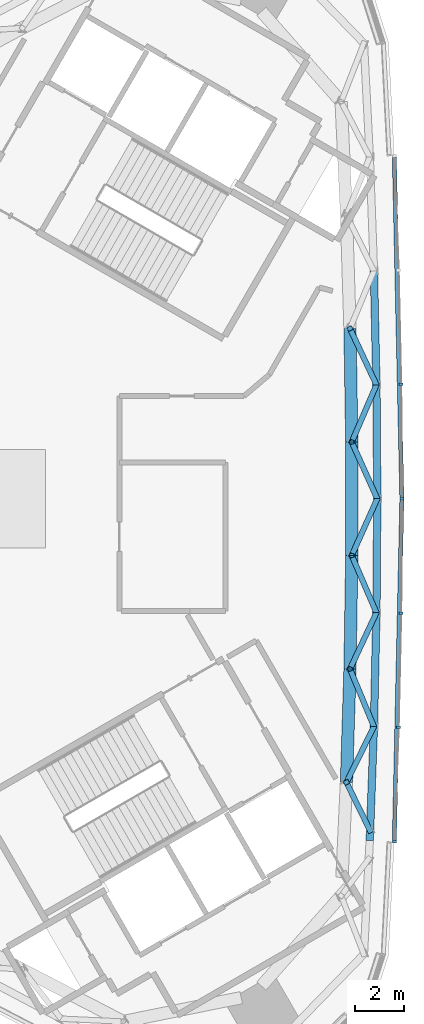
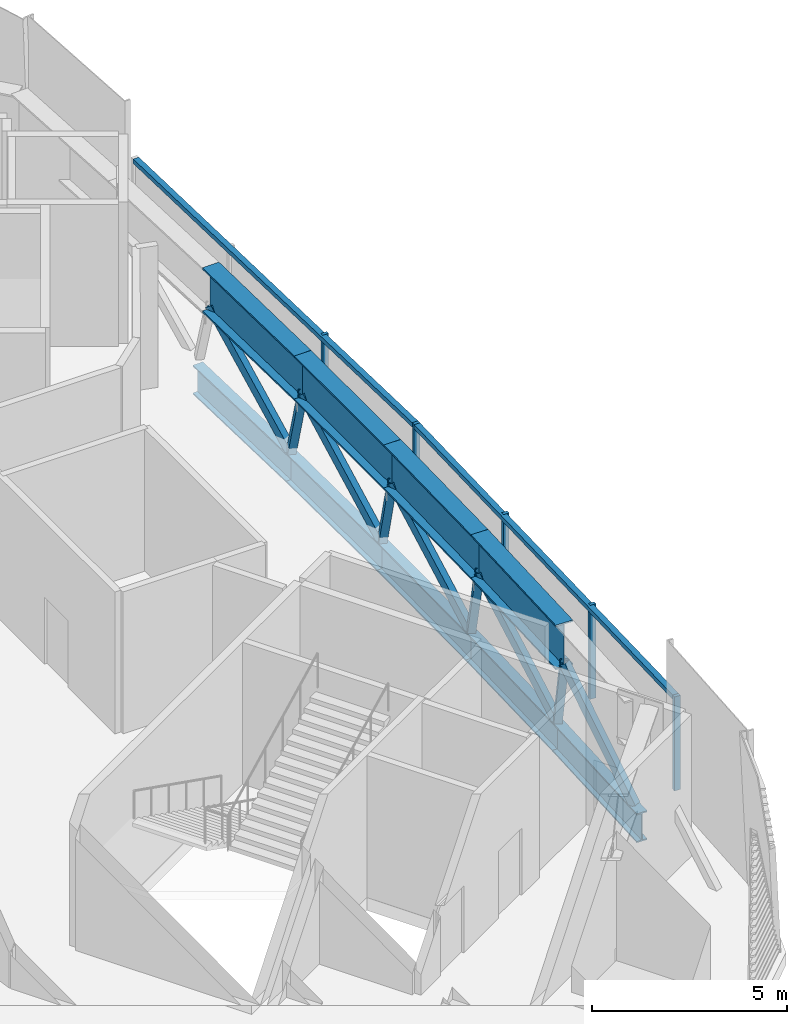
# One storey, part 2 of 18: 16 members, 9 beams, 1 element without a shape of its own.
"""IFC4 building model written with IfcOpenShell, lengths in metres."""

from ifc_helpers import new_model, si_unit, direction, frame, origin, origin_2d, place, context, subcontext, project, spatial, rectangle, hollow_rectangle, i_section, extrude, material, material_profile, profile_set, type_object, element, aggregate, save


model = new_model("IFC4")

# Units and contexts
model_context = context("Model", 3, precision=1e-05, world=origin(), true_north=direction((0.0, 1.0)))
body_context = subcontext(model_context, "Body", "Model", "MODEL_VIEW")
ifc_project = project(units=[si_unit("LENGTHUNIT", "METRE"), si_unit("AREAUNIT", "SQUARE_METRE"), si_unit("VOLUMEUNIT", "CUBIC_METRE"), si_unit("PLANEANGLEUNIT", "RADIAN"), si_unit("MASSUNIT", "GRAM", prefix="KILO")], contexts=[model_context])

# Site, building, storey
site_placement = place(None, origin())
site = spatial("IfcSite", under=ifc_project, at=site_placement, CompositionType="ELEMENT")
building_placement = place(site_placement, origin())
building = spatial("IfcBuilding", under=site, at=building_placement, Name="Tamra Quay Hotel Tower", CompositionType="ELEMENT")
storey_placement = place(building_placement, frame((0.0, 0.0, 257.39990234375)))
storey = spatial("IfcBuildingStorey", under=building, at=storey_placement, Name="L65", CompositionType="ELEMENT", Elevation=257.39990234375)

# Members
ifc_material_1 = material(Name="Structural steel IS 2062 E350", Category="steel")
ifc_material_profile_1 = material_profile(ifc_material_1, hollow_rectangle(XDim=0.219970703125, YDim=0.219970703125, WallThickness=0.010009765625, at=origin_2d()), Name="SHS 220x220x10")
ifc_profile_set_1 = profile_set([ifc_material_profile_1], Name="Structural steel IS 2062 E350")
member_type_1 = type_object("IfcMemberType", Name="BELT BRACE SHS 220x220x10 Z5", PredefinedType="BRACE", material=ifc_profile_set_1)
member_1_placement = place(storey_placement, frame((16.533203125, -9.24951171875, -0.39990234375), z_axis=(-0.253557774074, -0.515221402104, 0.818691249508), x_axis=(0.897232557129, -0.44155830694, 0.0)))
element("IfcMember", 1, at=member_1_placement, inside=storey, type_object=member_type_1, Name="BR-L65-001", PredefinedType="BRACE", context=body_context, shape_type="SweptSolid", body=[
    extrude(hollow_rectangle(XDim=0.219970703125, YDim=0.219970703125, WallThickness=0.010009765625, at=origin_2d()), origin(), (0.0, 0.0, 1.0), 4.3974609375),
])
member_2_placement = place(storey_placement, frame((16.533203125, -9.24951171875, -0.39990234375), z_axis=(-0.22062481795, 0.531485075519, 0.817831464426), x_axis=(-0.923586512352, -0.383390080991, 0.0)))
element("IfcMember", 2, at=member_2_placement, inside=storey, type_object=member_type_1, Name="BR-L65-002", PredefinedType="BRACE", context=body_context, shape_type="SweptSolid", body=[
    extrude(hollow_rectangle(XDim=0.219970703125, YDim=0.219970703125, WallThickness=0.010009765625, at=origin_2d()), origin(), (0.0, 0.0, 1.0), 4.402099609375),
])
member_3_placement = place(storey_placement, frame((16.63525390625, -4.625, -0.39990234375), z_axis=(-0.244086576028, -0.519655656289, 0.818767208851), x_axis=(0.905125314748, -0.42514487484, 0.0)))
element("IfcMember", 3, at=member_3_placement, inside=storey, type_object=member_type_1, Name="BR-L65-003", PredefinedType="BRACE", context=body_context, shape_type="SweptSolid", body=[
    extrude(hollow_rectangle(XDim=0.219970703125, YDim=0.219970703125, WallThickness=0.010009765625, at=origin_2d()), origin(), (0.0, 0.0, 1.0), 4.39697265625),
])
member_4_placement = place(storey_placement, frame((16.63525390625, -4.625, -0.39990234375), z_axis=(-0.227593293499, 0.527721196752, 0.818359108982), x_axis=(-0.91824357576, -0.396016079945, 0.0)))
element("IfcMember", 4, at=member_4_placement, inside=storey, type_object=member_type_1, Name="BR-L65-004", PredefinedType="BRACE", context=body_context, shape_type="SweptSolid", body=[
    extrude(hollow_rectangle(XDim=0.219970703125, YDim=0.219970703125, WallThickness=0.010009765625, at=origin_2d()), origin(), (0.0, 0.0, 1.0), 4.399169921875),
])
for number, where, z_axis, x_axis, name in (
    (5, (16.66943359375, 0.0, -0.39990234375), (-0.235447727109, -0.523803184455, 0.81865413439), (0.912093262897, -0.409982779856, 0.0), "BR-L65-005"),
    (6, (16.66943359375, 0.0, -0.39990234375), (-0.235447727109, 0.523803184455, 0.81865413439), (-0.912093262897, -0.409982779856, 0.0), "BR-L65-006"),
):
    element("IfcMember", number, at=place(storey_placement, frame(where, z_axis=z_axis, x_axis=x_axis)), inside=storey, type_object=member_type_1, Name=name, PredefinedType="BRACE", context=body_context, shape_type="SweptSolid", body=[
        extrude(hollow_rectangle(XDim=0.219970703125, YDim=0.219970703125, WallThickness=0.010009765625, at=origin_2d()), origin(), (0.0, 0.0, 1.0), 4.3974609375),
    ])
member_5_placement = place(storey_placement, frame((16.63525390625, 4.625, -0.39990234375), z_axis=(-0.227593293499, -0.527721196752, 0.818359108982), x_axis=(0.91824357576, -0.396016079945, 0.0)))
element("IfcMember", 7, at=member_5_placement, inside=storey, type_object=member_type_1, Name="BR-L65-007", PredefinedType="BRACE", context=body_context, shape_type="SweptSolid", body=[
    extrude(hollow_rectangle(XDim=0.219970703125, YDim=0.219970703125, WallThickness=0.010009765625, at=origin_2d()), origin(), (0.0, 0.0, 1.0), 4.399169921875),
])
member_6_placement = place(storey_placement, frame((16.63525390625, 4.625, -0.39990234375), z_axis=(-0.244086576028, 0.519655656289, 0.818767208851), x_axis=(-0.905125314748, -0.42514487484, 0.0)))
element("IfcMember", 8, at=member_6_placement, inside=storey, type_object=member_type_1, Name="BR-L65-008", PredefinedType="BRACE", context=body_context, shape_type="SweptSolid", body=[
    extrude(hollow_rectangle(XDim=0.219970703125, YDim=0.219970703125, WallThickness=0.010009765625, at=origin_2d()), origin(), (0.0, 0.0, 1.0), 4.39697265625),
])
member_7_placement = place(storey_placement, frame((16.3779296875, -13.471923828125, -0.39990234375), z_axis=(-0.228046971877, 0.464969849808, 0.855451703714), x_axis=(-0.897828685387, -0.44034492355, 0.0)))
element("IfcMember", 9, at=member_7_placement, inside=storey, type_object=member_type_1, Name="BR-L65-043", PredefinedType="BRACE", context=body_context, shape_type="SweptSolid", body=[
    extrude(hollow_rectangle(XDim=0.219970703125, YDim=0.219970703125, WallThickness=0.010009765625, at=origin_2d()), origin(), (0.0, 0.0, 1.0), 4.20849609375),
])

# Beams
ifc_material_profile_2 = material_profile(ifc_material_1, i_section(OverallWidth=0.302001953125, OverallDepth=0.909912109375, WebThickness=0.027099609375, FlangeThickness=0.0400390625, at=origin_2d()), Name="WPB 900x300x333")
ifc_profile_set_2 = profile_set([ifc_material_profile_2], Name="Structural steel IS 2062 E350")
beam_type_1 = type_object("IfcBeamType", Name="BELT CHORD WPB 900x300x333 Z5", PredefinedType="BEAM", material=ifc_profile_set_2)
beam_1_placement = place(storey_placement, frame((16.36328125, -13.87158203125, -0.85498046875), z_axis=(0.036738334249, 0.999324919532, 0.0), x_axis=(-0.999324919532, 0.036738334249, 0.0)))
element("IfcBeam", 10, at=beam_1_placement, inside=storey, type_object=beam_type_1, Name="BM-CHB-L65-001", PredefinedType="BEAM", context=body_context, shape_type="SweptSolid", body=[
    extrude(i_section(OverallWidth=0.302001953125, OverallDepth=0.909912109375, WebThickness=0.027099609375, FlangeThickness=0.0400390625, at=origin_2d()), origin(), (0.0, 0.0, 1.0), 4.625244140625),
])
beam_2_placement = place(storey_placement, frame((16.533203125, -9.24951171875, -0.85498046875), z_axis=(0.022061992437, 0.999756604624, 0.0), x_axis=(-0.999756604624, 0.022061992437, 0.0)))
element("IfcBeam", 11, at=beam_2_placement, inside=storey, type_object=beam_type_1, Name="BM-CHB-L65-002", PredefinedType="BEAM", context=body_context, shape_type="SweptSolid", body=[
    extrude(i_section(OverallWidth=0.302001953125, OverallDepth=0.909912109375, WebThickness=0.027099609375, FlangeThickness=0.0400390625, at=origin_2d()), origin(), (0.0, 0.0, 1.0), 4.625732421875),
])
for number, where, z_axis, x_axis, name in (
    (12, (16.63525390625, -4.625, -0.85498046875), (0.007390000903, 0.999972693571, 0.0), (-0.999972693571, 0.007390000903, 0.0), "BM-CHB-L65-003"),
    (13, (16.66943359375, 0.0, -0.85498046875), (-0.007390000903, 0.999972693571, 0.0), (-0.999972693571, -0.007390000903, 0.0), "BM-CHB-L65-004"),
):
    element("IfcBeam", number, at=place(storey_placement, frame(where, z_axis=z_axis, x_axis=x_axis)), inside=storey, type_object=beam_type_1, Name=name, PredefinedType="BEAM", context=body_context, shape_type="SweptSolid", body=[
        extrude(i_section(OverallWidth=0.302001953125, OverallDepth=0.909912109375, WebThickness=0.027099609375, FlangeThickness=0.0400390625, at=origin_2d()), origin(), (0.0, 0.0, 1.0), 4.625244140625),
    ])
beam_3_placement = place(storey_placement, frame((16.63525390625, 4.625, -0.85498046875), z_axis=(-0.022061992437, 0.999756604624, 0.0), x_axis=(-0.999756604624, -0.022061992437, 0.0)))
element("IfcBeam", 14, at=beam_3_placement, inside=storey, type_object=beam_type_1, Name="BM-CHB-L65-005", PredefinedType="BEAM", context=body_context, shape_type="SweptSolid", body=[
    extrude(i_section(OverallWidth=0.302001953125, OverallDepth=0.909912109375, WebThickness=0.027099609375, FlangeThickness=0.0400390625, at=origin_2d()), origin(), (0.0, 0.0, 1.0), 4.625732421875),
])
ifc_material_profile_3 = material_profile(ifc_material_1, i_section(OverallWidth=0.5, OverallDepth=1.39990234375, WebThickness=0.02490234375, FlangeThickness=0.050048828125, at=origin_2d()), Name="WPG 1400x500x25x50")
ifc_profile_set_3 = profile_set([ifc_material_profile_3], Name="Structural steel IS 2062 E350")
beam_type_2 = type_object("IfcBeamType", Name="BELT TOP CHORD WPG 1400x500x25x50 Z5", PredefinedType="USERDEFINED", material=ifc_profile_set_3)
beam_4_placement = place(storey_placement, frame((15.418212890625, -11.51513671875, 3.75), z_axis=(0.03120993847, 0.999512851213, 0.0), x_axis=(-0.999512851213, 0.03120993847, 0.0)))
element("IfcBeam", 15, at=beam_4_placement, inside=storey, type_object=beam_type_2, Name="BM-CHT-L65-001", ObjectType="TRANSFER GIRDER", PredefinedType="USERDEFINED", context=body_context, shape_type="SweptSolid", body=[
    extrude(i_section(OverallWidth=0.5, OverallDepth=1.39990234375, WebThickness=0.02490234375, FlangeThickness=0.050048828125, at=origin_2d()), origin(), (0.0, 0.0, 1.0), 4.607421875),
])
for number, where, z_axis, x_axis, name in (
    (16, (15.56201171875, -6.909912109375, 3.75), (0.01563302682, 0.999877796769, 0.0), (-0.999877796769, 0.01563302682, 0.0), "BM-CHT-L65-002"),
    (17, (15.634033203125, -2.303466796875, 3.75), (0.0, 1.0, 0.0), (-1.0, 0.0, 0.0), "BM-CHT-L65-003"),
    (18, (15.634033203125, 2.303466796875, 3.75), (-0.01563302682, 0.999877796769, 0.0), (-0.999877796769, -0.01563302682, 0.0), "BM-CHT-L65-004"),
):
    element("IfcBeam", number, at=place(storey_placement, frame(where, z_axis=z_axis, x_axis=x_axis)), inside=storey, type_object=beam_type_2, Name=name, ObjectType="TRANSFER GIRDER", PredefinedType="USERDEFINED", context=body_context, shape_type="SweptSolid", body=[
        extrude(i_section(OverallWidth=0.5, OverallDepth=1.39990234375, WebThickness=0.02490234375, FlangeThickness=0.050048828125, at=origin_2d()), origin(), (0.0, 0.0, 1.0), 4.60693359375),
    ])

# Curtain wall, members
ifc_material_2 = material(Name="Aluminium 6063 anodised dark grey", Category="aluminium")
curtain_wall_type = type_object("IfcCurtainWallType", Name="CW1 CURTAIN WALL", PredefinedType="NOTDEFINED", material=ifc_material_2)
curtain_wall_placement = place(storey_placement, origin())
curtain_wall = element("IfcCurtainWall", 19, at=curtain_wall_placement, inside=storey, type_object=curtain_wall_type, Name="CW1 east face L65", PredefinedType="NOTDEFINED")
ifc_material_profile_4 = material_profile(ifc_material_2, rectangle(XDim=0.169921875, YDim=0.10009765625, at=origin_2d()), Name="MULLION 100X170")
ifc_profile_set_4 = profile_set([ifc_material_profile_4], Name="Aluminium 6063 anodised dark grey")
member_type_2 = type_object("IfcMemberType", Name="MULLION CW1 Z5", PredefinedType="MULLION", material=ifc_profile_set_4)
member_8_placement = place(storey_placement, frame((17.3623046875, -13.91552734375, 0.0), z_axis=(0.0, 0.0, 1.0), x_axis=(0.999028197603, -0.044075621315, 0.0)))
member_8 = element("IfcMember", 20, at=member_8_placement, type_object=member_type_2, Name="CW1 mullion L65.E.1", PredefinedType="MULLION", context=body_context, shape_type="SweptSolid", body=[
    extrude(rectangle(XDim=0.169921875, YDim=0.10009765625, at=origin_2d()), origin(), (0.0, 0.0, 1.0), 2.9501953125),
])
member_9_placement = place(storey_placement, frame((17.532958984375, -9.278564453125, 0.0), z_axis=(0.0, 0.0, 1.0), x_axis=(0.999567583754, -0.029404855176, 0.0)))
member_9 = element("IfcMember", 21, at=member_9_placement, type_object=member_type_2, Name="CW1 mullion L65.E.2", PredefinedType="MULLION", context=body_context, shape_type="SweptSolid", body=[
    extrude(rectangle(XDim=0.169921875, YDim=0.10009765625, at=origin_2d()), origin(), (0.0, 0.0, 1.0), 2.9501953125),
])
member_10_placement = place(storey_placement, frame((17.63525390625, -4.639892578125, 0.0), z_axis=(0.0, 0.0, 1.0), x_axis=(0.999891762405, -0.014712697706, 0.0)))
member_10 = element("IfcMember", 22, at=member_10_placement, type_object=member_type_2, Name="CW1 mullion L65.E.3", PredefinedType="MULLION", context=body_context, shape_type="SweptSolid", body=[
    extrude(rectangle(XDim=0.169921875, YDim=0.10009765625, at=origin_2d()), origin(), (0.0, 0.0, 1.0), 2.9501953125),
])
member_11_placement = place(storey_placement, frame((17.66943359375, 0.0, 0.0), z_axis=(0.0, 0.0, 1.0), x_axis=(1.0, 0.0, 0.0)))
member_11 = element("IfcMember", 23, at=member_11_placement, type_object=member_type_2, Name="CW1 mullion L65.E.4", PredefinedType="MULLION", context=body_context, shape_type="SweptSolid", body=[
    extrude(rectangle(XDim=0.169921875, YDim=0.10009765625, at=origin_2d()), origin(), (0.0, 0.0, 1.0), 2.9501953125),
])
member_12_placement = place(storey_placement, frame((17.63525390625, 4.639892578125, 0.0), z_axis=(0.0, 0.0, 1.0), x_axis=(0.999891762405, 0.014712697706, 0.0)))
member_12 = element("IfcMember", 24, at=member_12_placement, type_object=member_type_2, Name="CW1 mullion L65.E.5", PredefinedType="MULLION", context=body_context, shape_type="SweptSolid", body=[
    extrude(rectangle(XDim=0.169921875, YDim=0.10009765625, at=origin_2d()), origin(), (0.0, 0.0, 1.0), 2.9501953125),
])
ifc_material_profile_5 = material_profile(ifc_material_2, rectangle(XDim=0.169921875, YDim=0.139892578125, at=origin_2d()), Name="TRANSOM 170X140")
ifc_profile_set_5 = profile_set([ifc_material_profile_5], Name="Aluminium 6063 anodised dark grey")
member_type_3 = type_object("IfcMemberType", Name="TRANSOM CW1 Z5", PredefinedType="USERDEFINED", material=ifc_profile_set_5)
member_13_placement = place(storey_placement, frame((17.3642578125, -13.86572265625, 2.880126953125), z_axis=(0.022048394864, 0.999756904594, 0.0), x_axis=(-0.999756904594, 0.022048394864, 0.0)))
member_13 = element("IfcMember", 25, at=member_13_placement, type_object=member_type_3, Name="CW1 transom L65.E.1", ObjectType="TRANSOM", PredefinedType="USERDEFINED", context=body_context, shape_type="SweptSolid", body=[
    extrude(rectangle(XDim=0.169921875, YDim=0.139892578125, at=origin_2d()), origin(), (0.0, 0.0, 1.0), 13.819091796875),
])
member_14_placement = place(storey_placement, frame((17.6689453125, 0.050048828125, 2.880126953125), z_axis=(-0.022048394864, 0.999756904594, 0.0), x_axis=(-0.999756904594, -0.022048394864, 0.0)))
member_14 = element("IfcMember", 26, at=member_14_placement, type_object=member_type_3, Name="CW1 transom L65.E.4", ObjectType="TRANSOM", PredefinedType="USERDEFINED", context=body_context, shape_type="SweptSolid", body=[
    extrude(rectangle(XDim=0.169921875, YDim=0.139892578125, at=origin_2d()), origin(), (0.0, 0.0, 1.0), 13.819091796875),
])
aggregate(curtain_wall, [member_8, member_13, member_9, member_10, member_11, member_14, member_12])

save(model, "model.ifc")
